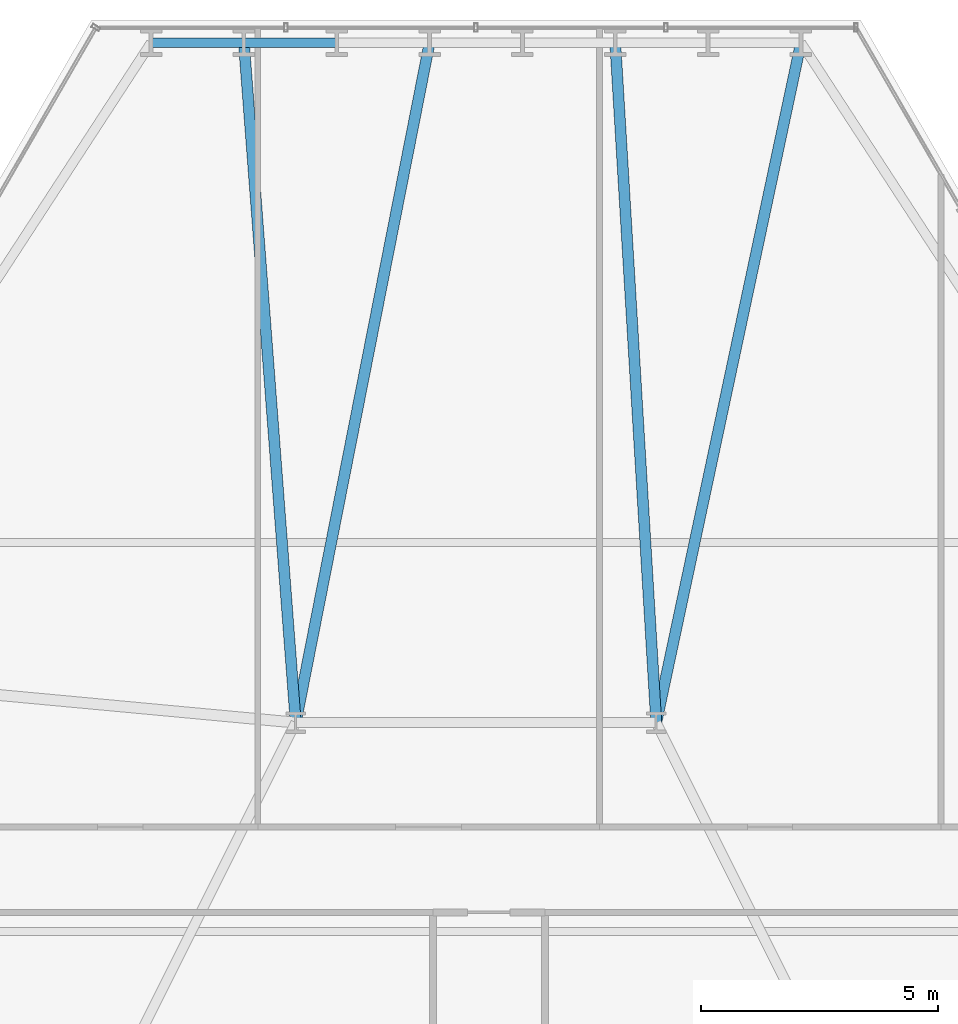
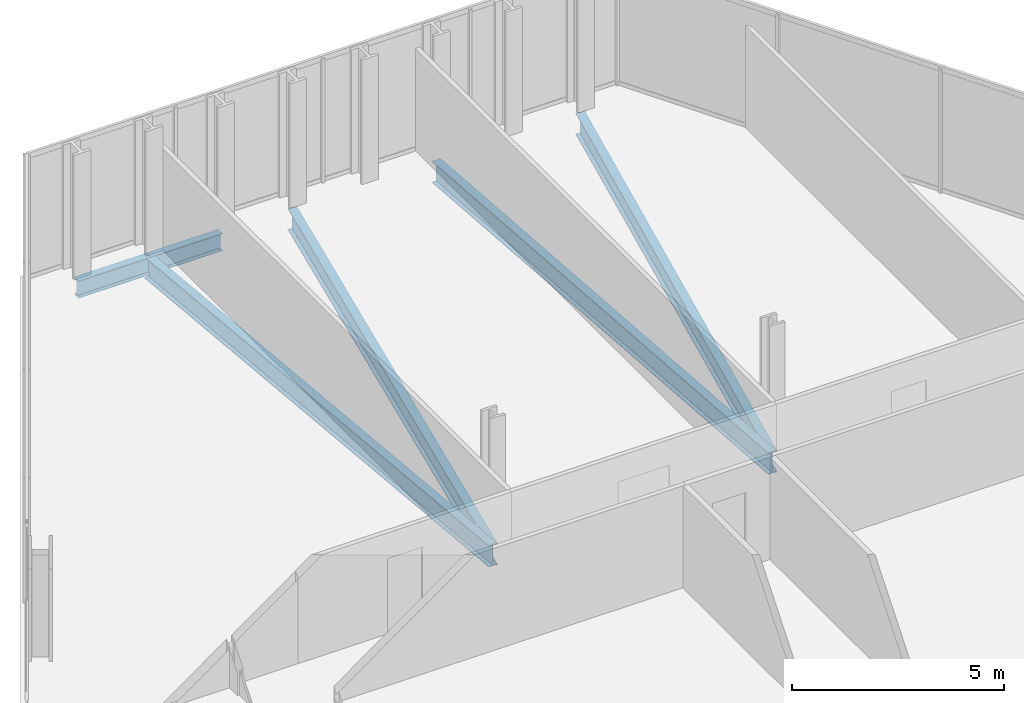
# One storey, part 21 of 32: 6 beams.
"""IFC4 building model written with IfcOpenShell, lengths in metres."""

from ifc_helpers import new_model, si_unit, direction, frame, origin, origin_2d, place, context, subcontext, project, spatial, i_section, extrude, material, material_profile, profile_set, type_object, element, save


model = new_model("IFC4")

# Units and contexts
model_context = context("Model", 3, precision=1e-05, world=origin(), true_north=direction((0.0, 1.0)))
body_context = subcontext(model_context, "Body", "Model", "MODEL_VIEW")
ifc_project = project(units=[si_unit("LENGTHUNIT", "METRE"), si_unit("AREAUNIT", "SQUARE_METRE"), si_unit("VOLUMEUNIT", "CUBIC_METRE"), si_unit("PLANEANGLEUNIT", "RADIAN"), si_unit("MASSUNIT", "GRAM", prefix="KILO")], contexts=[model_context])

# Site, building, storey
site_placement = place(None, origin())
site = spatial("IfcSite", under=ifc_project, at=site_placement, CompositionType="ELEMENT")
building_placement = place(site_placement, origin())
building = spatial("IfcBuilding", under=site, at=building_placement, Name="Ndaravel Arena Tower", CompositionType="ELEMENT")
storey_placement = place(building_placement, frame((0.0, 0.0, 51.199951171875)))
storey = spatial("IfcBuildingStorey", under=building, at=storey_placement, Name="L10", CompositionType="ELEMENT", Elevation=51.199951171875)

# Beams
ifc_material_1 = material(Name="Steel S355", Category="steel")
ifc_material_profile_1 = material_profile(ifc_material_1, i_section(OverallWidth=0.230224609375, OverallDepth=0.6171875, WebThickness=0.01318359375, FlangeThickness=0.022216796875, FilletRadius=0.0126953125, at=origin_2d()), Name="UB 610x229x140")
ifc_profile_set_1 = profile_set([ifc_material_profile_1], Name="Steel S355")
beam_type_1 = type_object("IfcBeamType", Name="BM-GIRD-UB610B", PredefinedType="BEAM", material=ifc_profile_set_1)
beam_1_placement = place(storey_placement, frame((48.85009765625, 45.531494140625, -0.528564453125), z_axis=(-0.208158857039, -0.978095031291, 0.0), x_axis=(0.978095031291, -0.208158857039, 0.0)))
element("IfcBeam", 1, at=beam_1_placement, inside=storey, type_object=beam_type_1, Name="L10 Radial Floor Girder FG-11", PredefinedType="BEAM", context=body_context, shape_type="SweptSolid", body=[
    extrude(i_section(OverallWidth=0.230224609375, OverallDepth=0.6171875, WebThickness=0.01318359375, FlangeThickness=0.022216796875, FilletRadius=0.0126953125, at=origin_2d()), origin(), (0.0, 0.0, 1.0), 14.652587890625),
])
beam_2_placement = place(storey_placement, frame((44.935791015625, 45.531494140625, -0.528564453125), z_axis=(0.060195234309, -0.998186622715, 0.0), x_axis=(0.998186622715, 0.060195234309, 0.0)))
element("IfcBeam", 2, at=beam_2_placement, inside=storey, type_object=beam_type_1, Name="L10 Radial Floor Girder FG-13", PredefinedType="BEAM", context=body_context, shape_type="SweptSolid", body=[
    extrude(i_section(OverallWidth=0.230224609375, OverallDepth=0.6171875, WebThickness=0.01318359375, FlangeThickness=0.022216796875, FilletRadius=0.0126953125, at=origin_2d()), origin(), (0.0, 0.0, 1.0), 14.357666015625),
])
beam_3_placement = place(storey_placement, frame((41.021484375, 45.531494140625, -0.528564453125), z_axis=(-0.193167737889, -0.981165747995, 0.0), x_axis=(0.981165747995, -0.193167737889, 0.0)))
element("IfcBeam", 3, at=beam_3_placement, inside=storey, type_object=beam_type_1, Name="L10 Radial Floor Girder FG-15", PredefinedType="BEAM", context=body_context, shape_type="SweptSolid", body=[
    extrude(i_section(OverallWidth=0.230224609375, OverallDepth=0.6171875, WebThickness=0.01318359375, FlangeThickness=0.022216796875, FilletRadius=0.0126953125, at=origin_2d()), origin(), (0.0, 0.0, 1.0), 14.606689453125),
])
beam_4_placement = place(storey_placement, frame((37.107177734375, 45.531494140625, -0.528564453125), z_axis=(0.07602883636, -0.997105619301, 0.0), x_axis=(0.997105619301, 0.07602883636, 0.0)))
element("IfcBeam", 4, at=beam_4_placement, inside=storey, type_object=beam_type_1, Name="L10 Radial Floor Girder FG-17", PredefinedType="BEAM", context=body_context, shape_type="SweptSolid", body=[
    extrude(i_section(OverallWidth=0.230224609375, OverallDepth=0.6171875, WebThickness=0.01318359375, FlangeThickness=0.022216796875, FilletRadius=0.0126953125, at=origin_2d()), origin(), (0.0, 0.0, 1.0), 14.373046875),
])
ifc_material_2 = material(Name="Steel S355", Category="steel")
ifc_material_profile_2 = material_profile(ifc_material_2, i_section(OverallWidth=0.199951171875, OverallDepth=0.5, WebThickness=0.01025390625, FlangeThickness=0.01611328125, FilletRadius=0.02099609375, at=origin_2d()), Name="IPE 500")
ifc_profile_set_2 = profile_set([ifc_material_profile_2], Name="Steel S355")
beam_type_2 = type_object("IfcBeamType", Name="BM-SPAN-IPE500", PredefinedType="SPANDREL", material=ifc_profile_set_2)
beam_5_placement = place(storey_placement, frame((39.064208984375, 45.531494140625, -0.469970703125), z_axis=(-1.0, 0.0, 0.0), x_axis=(0.0, -1.0, 0.0)))
element("IfcBeam", 5, at=beam_5_placement, inside=storey, type_object=beam_type_2, Name="L10 Perimeter Spandrel Beam SP-16", PredefinedType="SPANDREL", context=body_context, shape_type="SweptSolid", body=[
    extrude(i_section(OverallWidth=0.199951171875, OverallDepth=0.5, WebThickness=0.01025390625, FlangeThickness=0.01611328125, FilletRadius=0.02099609375, at=origin_2d()), origin(), (0.0, 0.0, 1.0), 1.95703125),
])
beam_6_placement = place(storey_placement, frame((37.107177734375, 45.531494140625, -0.469970703125), z_axis=(-1.0, 0.0, 0.0), x_axis=(0.0, -1.0, 0.0)))
element("IfcBeam", 6, at=beam_6_placement, inside=storey, type_object=beam_type_2, Name="L10 Perimeter Spandrel Beam SP-17", PredefinedType="SPANDREL", context=body_context, shape_type="SweptSolid", body=[
    extrude(i_section(OverallWidth=0.199951171875, OverallDepth=0.5, WebThickness=0.01025390625, FlangeThickness=0.01611328125, FilletRadius=0.02099609375, at=origin_2d()), origin(), (0.0, 0.0, 1.0), 1.957275390625),
])

save(model, "model.ifc")
